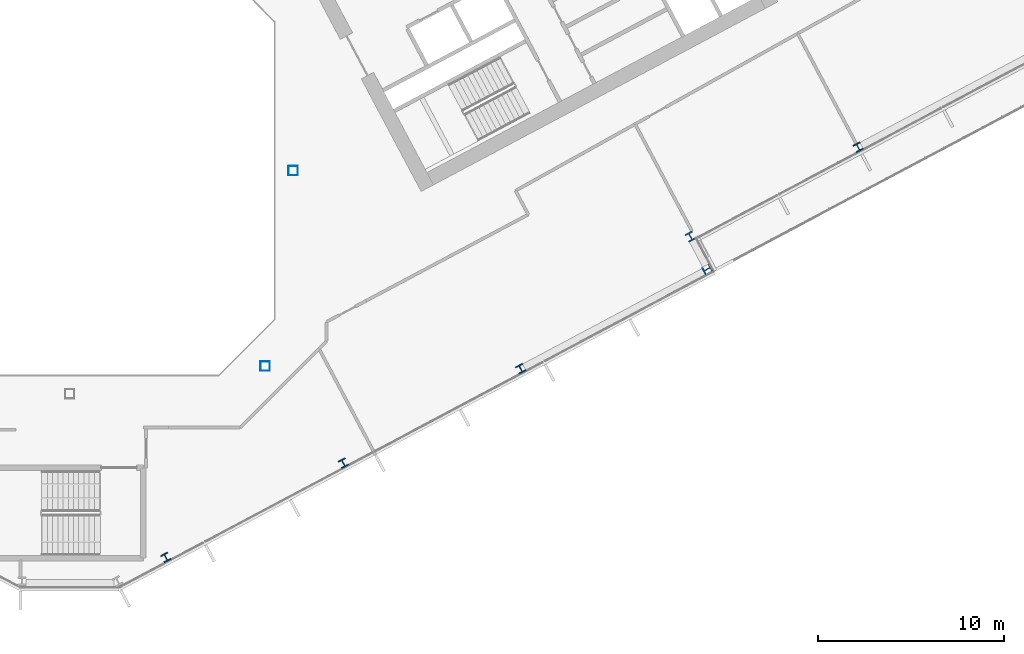
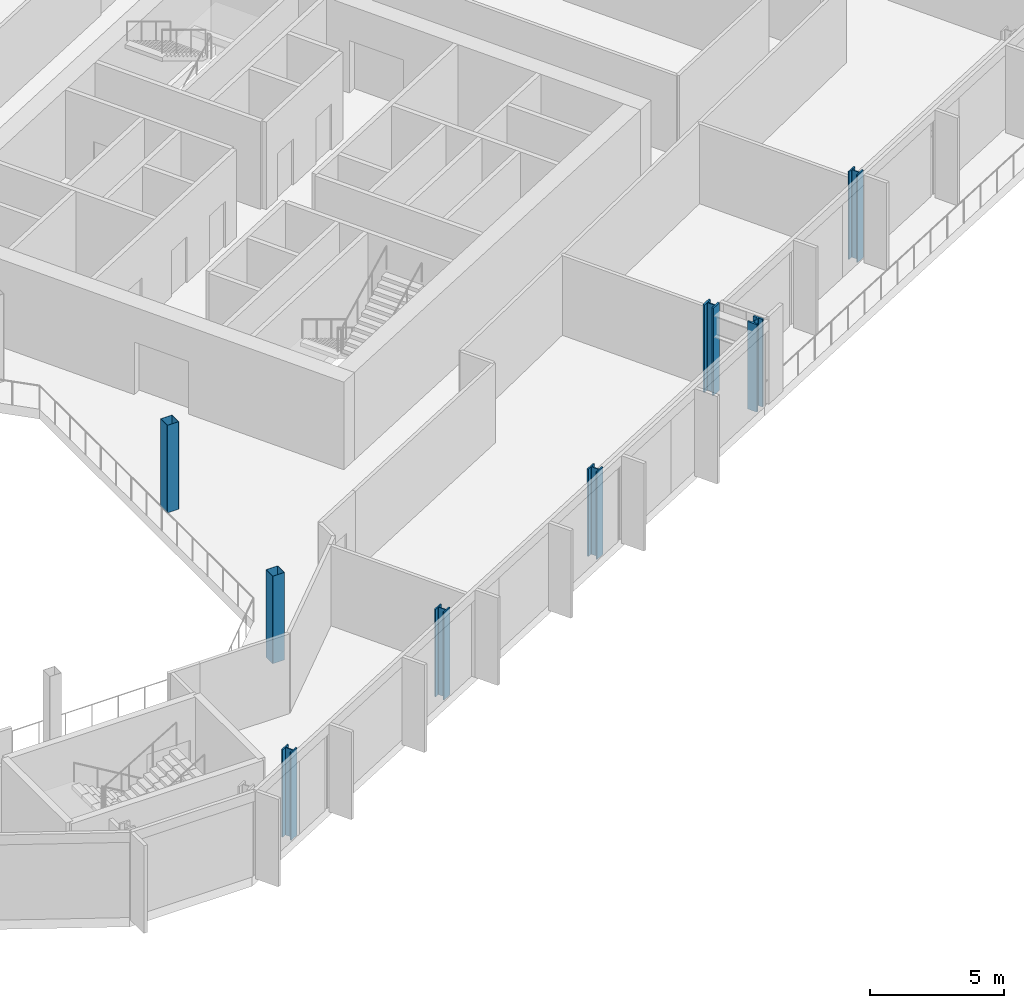
# One storey, part 5 of 34: 8 columns.
"""IFC4 building model written with IfcOpenShell, lengths in metres."""

from ifc_helpers import new_model, si_unit, direction, frame, origin, origin_2d, place, context, subcontext, project, spatial, hollow_rectangle, i_section, extrude, material, material_profile, profile_set, type_object, element, save


model = new_model("IFC4")

# Units and contexts
model_context = context("Model", 3, precision=1e-05, world=origin(), true_north=direction((0.0, 1.0)))
body_context = subcontext(model_context, "Body", "Model", "MODEL_VIEW")
ifc_project = project(units=[si_unit("LENGTHUNIT", "METRE"), si_unit("AREAUNIT", "SQUARE_METRE"), si_unit("VOLUMEUNIT", "CUBIC_METRE"), si_unit("PLANEANGLEUNIT", "RADIAN"), si_unit("MASSUNIT", "GRAM", prefix="KILO")], contexts=[model_context])

# Site, building, storey
site_placement = place(None, origin())
site = spatial("IfcSite", under=ifc_project, at=site_placement, CompositionType="ELEMENT")
building_placement = place(site_placement, origin())
building = spatial("IfcBuilding", under=site, at=building_placement, Name="Cormorant Relay Tower", CompositionType="ELEMENT")
storey_placement = place(building_placement, frame((0.0, 0.0, 118.199951171875)))
storey = spatial("IfcBuildingStorey", under=building, at=storey_placement, Name="L23", CompositionType="ELEMENT", Elevation=118.199951171875)

# Columns
ifc_material_1 = material(Name="Steel ASTM A500 Grade C (Fy 345 MPa)", Category="steel")
ifc_material_profile_1 = material_profile(ifc_material_1, hollow_rectangle(XDim=0.508056640625, YDim=0.508056640625, WallThickness=0.01171875, InnerFilletRadius=0.005859375, OuterFilletRadius=0.017822265625, at=origin_2d()), Name="HSS508x508x12")
ifc_profile_set_1 = profile_set([ifc_material_profile_1], Name="Steel ASTM A500 Grade C (Fy 345 MPa)")
column_type_1 = type_object("IfcColumnType", Name="Column HSS508x508x12", PredefinedType="COLUMN", material=ifc_profile_set_1)
for number, where, z_axis, x_axis, name in (
    (1, (10.5, -10.5, 0.0), (0.0, 0.0, 1.0), (1.0, 0.0, 0.0), "Column L23-010"),
    (2, (12.0, 0.0, 0.0), (0.0, 0.0, 1.0), (1.0, 0.0, 0.0), "Column L23-016"),
):
    element("IfcColumn", number, at=place(storey_placement, frame(where, z_axis=z_axis, x_axis=x_axis)), inside=storey, type_object=column_type_1, Name=name, PredefinedType="COLUMN", context=body_context, shape_type="SweptSolid", body=[
        extrude(hollow_rectangle(XDim=0.508056640625, YDim=0.508056640625, WallThickness=0.01171875, InnerFilletRadius=0.005859375, OuterFilletRadius=0.017822265625, at=origin_2d()), origin(), (0.0, 0.0, 1.0), 4.0),
    ])
ifc_material_2 = material(Name="Steel ASTM A992 (Fy 345 MPa)", Category="steel")
ifc_material_profile_2 = material_profile(ifc_material_2, i_section(OverallWidth=0.41162109375, OverallDepth=0.434326171875, WebThickness=0.035888671875, FlangeThickness=0.057373046875, FilletRadius=0.01513671875, at=origin_2d()), Name="W360x463")
ifc_profile_set_2 = profile_set([ifc_material_profile_2], Name="Steel ASTM A992 (Fy 345 MPa)")
column_type_2 = type_object("IfcColumnType", Name="Column W360x463", PredefinedType="COLUMN", material=ifc_profile_set_2)
for number, where, z_axis, x_axis, name in (
    (3, (5.1640625, -20.7890625, 0.0), (0.0, 0.0, 1.0), (0.882947592859, 0.469471562786, 0.0), "Column L23-003"),
    (4, (14.699951171875, -15.718994140625, 0.0), (0.0, 0.0, 1.0), (0.882947592859, 0.469471562786, 0.0), "Column L23-005"),
    (5, (24.236083984375, -10.64794921875, 0.0), (0.0, 0.0, 1.0), (0.882947592859, 0.469471562786, 0.0), "Column L23-008"),
    (6, (42.368896484375, 1.258056640625, 0.0), (0.0, 0.0, 1.0), (0.882947592859, 0.469471562786, 0.0), "Column L23-017"),
):
    element("IfcColumn", number, at=place(storey_placement, frame(where, z_axis=z_axis, x_axis=x_axis)), inside=storey, type_object=column_type_2, Name=name, PredefinedType="COLUMN", context=body_context, shape_type="SweptSolid", body=[
        extrude(i_section(OverallWidth=0.41162109375, OverallDepth=0.434326171875, WebThickness=0.035888671875, FlangeThickness=0.057373046875, FilletRadius=0.01513671875, at=origin_2d()), origin(), (0.0, 0.0, 1.0), 4.0),
    ])
ifc_material_3 = material(Name="Steel ASTM A992 (Fy 345 MPa)", Category="steel")
ifc_material_profile_3 = material_profile(ifc_material_3, i_section(OverallWidth=0.42431640625, OverallDepth=0.47509765625, WebThickness=0.0478515625, FlangeThickness=0.0771484375, FilletRadius=0.014892578125, at=origin_2d()), Name="W360x634")
ifc_profile_set_3 = profile_set([ifc_material_profile_3], Name="Steel ASTM A992 (Fy 345 MPa)")
column_type_3 = type_object("IfcColumnType", Name="Column W360x634", PredefinedType="COLUMN", material=ifc_profile_set_3)
for number, where, z_axis, x_axis, name in (
    (7, (34.256103515625, -5.297119140625, 0.0), (0.0, 0.0, 1.0), (-0.469471562786, 0.882947592859, 0.0), "Column L23-012"),
    (8, (33.35595703125, -3.54296875, 0.0), (0.0, 0.0, 1.0), (0.882947592859, 0.469471562786, 0.0), "Column L23-014"),
):
    element("IfcColumn", number, at=place(storey_placement, frame(where, z_axis=z_axis, x_axis=x_axis)), inside=storey, type_object=column_type_3, Name=name, PredefinedType="COLUMN", context=body_context, shape_type="SweptSolid", body=[
        extrude(i_section(OverallWidth=0.42431640625, OverallDepth=0.47509765625, WebThickness=0.0478515625, FlangeThickness=0.0771484375, FilletRadius=0.014892578125, at=origin_2d()), origin(), (0.0, 0.0, 1.0), 4.0),
    ])

save(model, "model.ifc")
